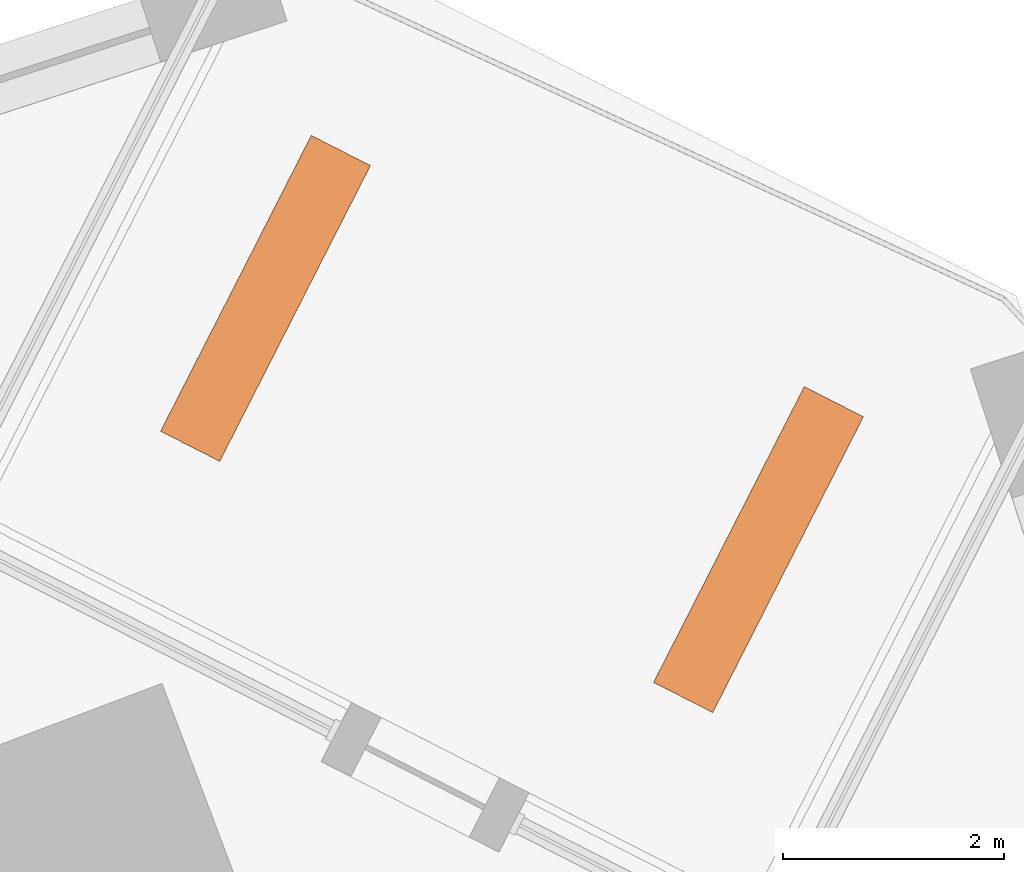
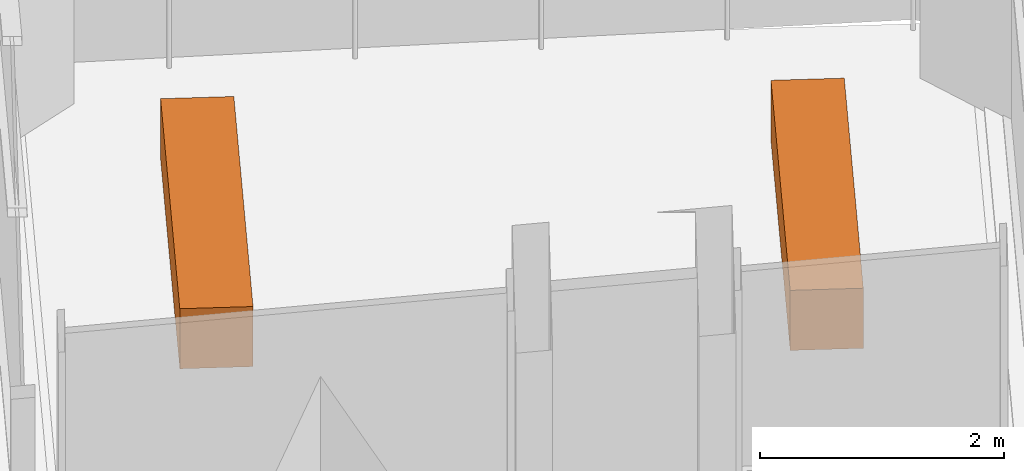
# One storey, part 12 of 12: 2 proxies.
"""IFC4 building model written with IfcOpenShell, lengths in metres."""

from ifc_helpers import new_model, si_unit, direction, frame, origin, origin_2d, place, context, subcontext, project, spatial, rectangle, extrude, element, save


model = new_model("IFC4")

# Units and contexts
model_context = context("Model", 3, precision=1e-05, world=origin(), true_north=direction((0.0, 1.0)))
body_context = subcontext(model_context, "Body", "Model", "MODEL_VIEW")
ifc_project = project(units=[si_unit("LENGTHUNIT", "METRE"), si_unit("AREAUNIT", "SQUARE_METRE"), si_unit("VOLUMEUNIT", "CUBIC_METRE"), si_unit("PLANEANGLEUNIT", "RADIAN"), si_unit("MASSUNIT", "GRAM", prefix="KILO")], contexts=[model_context])

# Site, building, storey
site_placement = place(None, origin())
site = spatial("IfcSite", under=ifc_project, at=site_placement, CompositionType="ELEMENT")
building_placement = place(site_placement, origin())
building = spatial("IfcBuilding", under=site, at=building_placement, Name="Dilmun Exchange Tower", CompositionType="ELEMENT")
storey_placement = place(building_placement, frame((0.0, 0.0, 90.10009765625)))
storey = spatial("IfcBuildingStorey", under=building, at=storey_placement, Name="L20", CompositionType="ELEMENT", Elevation=90.10009765625)

# Proxies
for number, where, z_axis, x_axis, name in (
    (1, (19.09423828125, 28.852783203125, -0.000244140625), (0.0, 0.0, 1.0), (0.45399049974, 0.891006524188, 0.0), "PLANTER Ghaf tree L20.1"),
    (2, (14.63916015625, 31.122802734375, -0.000244140625), (0.0, 0.0, 1.0), (0.45399049974, 0.891006524188, 0.0), "PLANTER Ghaf tree L20.2"),
):
    element("IfcBuildingElementProxy", number, at=place(storey_placement, frame(where, z_axis=z_axis, x_axis=x_axis)), inside=storey, Name=name, ObjectType="PLANTER", PredefinedType="USERDEFINED", context=body_context, shape_type="SweptSolid", body=[
        extrude(rectangle(XDim=3.0, YDim=0.60009765625, at=origin_2d()), origin(), (0.0, 0.0, 1.0), 0.60009765625),
    ])

save(model, "model.ifc")
